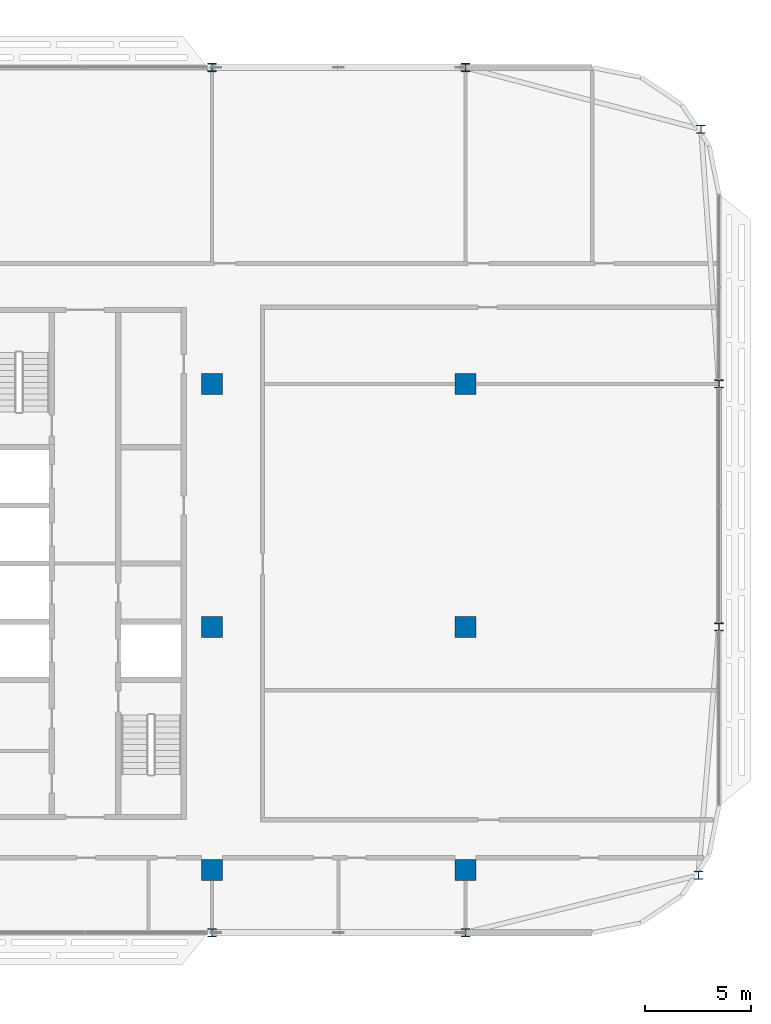
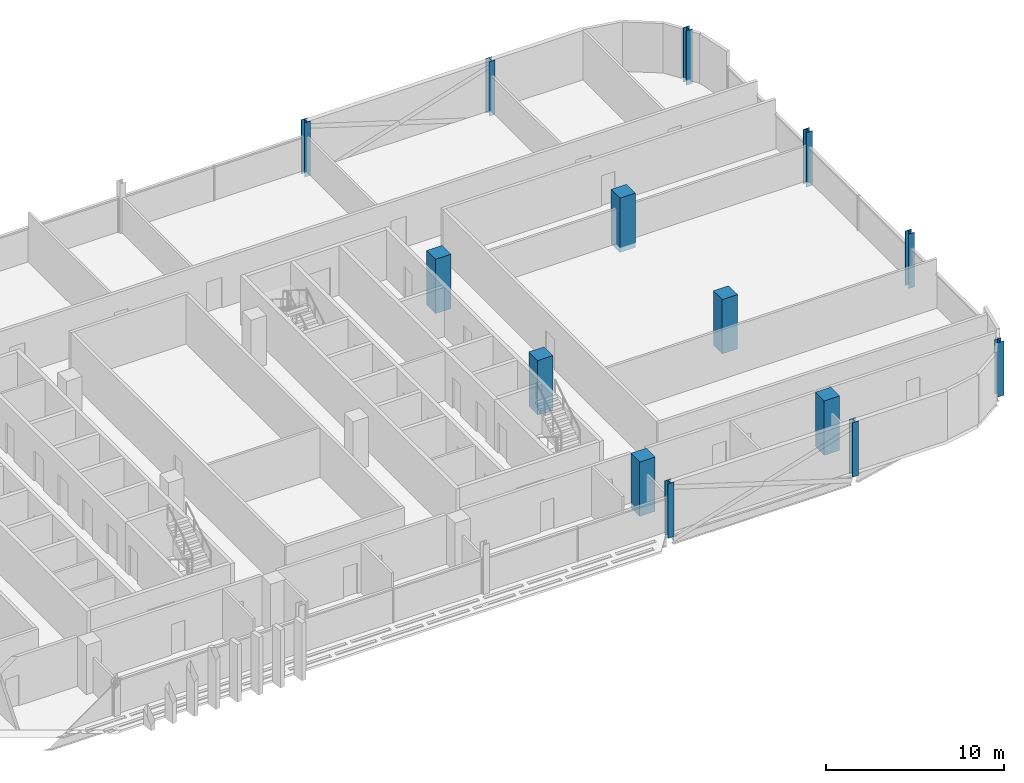
# One storey, part 4 of 33: 14 columns.
"""IFC4 building model written with IfcOpenShell, lengths in metres."""

import ifcopenshell
import ifcopenshell.guid

model = None  # the IFC model being written
_history = None  # IfcOwnerHistory: only IFC2X3 demands one
_inside = {}  # id of a spatial element -> (the spatial element, [elements in it])
_under = {}  # id of a project, library or spatial element -> (it, [spatial elements below it])
_declared = {}  # id of a project -> (the project, [libraries it declares])
_typed = {}  # id of a type object -> (the type object, [elements of that type])
_made_of = {}  # id of a material, layer set ... -> (it, [elements and type objects made of it])


def new_model(schema):
    """Start an empty IFC model of exactly this schema.

    Asked for "IFC4X3", IfcOpenShell would pick the latest addendum, in which some entities
    have other attributes; the version numbers below select the first issue.
    IFC2X3 requires an IfcOwnerHistory on every rooted entity: one is made here for all.
    """
    global model, _history
    if schema == "IFC4X3":
        model = ifcopenshell.file(schema_version=(4, 3, 0, 0))
    else:
        model = ifcopenshell.file(schema=schema)
    _inside.clear()
    _under.clear()
    _declared.clear()
    _typed.clear()
    _made_of.clear()
    _history = None
    if model.schema == "IFC2X3":
        org = make("IfcOrganization", Name="unknown")
        user = make(
            "IfcPersonAndOrganization",
            ThePerson=make("IfcPerson", FamilyName="unknown"),
            TheOrganization=org,
        )
        app = make(
            "IfcApplication",
            ApplicationDeveloper=org,
            Version="unknown",
            ApplicationFullName="unknown",
            ApplicationIdentifier="unknown",
        )
        _history = make(
            "IfcOwnerHistory",
            OwningUser=user,
            OwningApplication=app,
            ChangeAction="ADDED",
            CreationDate=0,
        )
    return model


def make(cls, **values):
    """One entity of the class cls with the attributes given. An attribute that is None is left unset."""
    return model.create_entity(
        cls, **{name: value for name, value in values.items() if value is not None}
    )


def rooted(cls, **values):
    """An entity with a GlobalId (a new one), such as an element, a storey or a relation."""
    return make(cls, GlobalId=ifcopenshell.guid.new(), OwnerHistory=_history, **values)


def si_unit(unit_type, name, prefix=None):
    """IfcSIUnit, for example si_unit("LENGTHUNIT", "METRE", prefix="MILLI")."""
    return make("IfcSIUnit", UnitType=unit_type, Prefix=prefix, Name=name)


def assignment(units):
    """IfcUnitAssignment: the units of a project."""
    return None if units is None else make("IfcUnitAssignment", Units=units)


def point(xyz):
    """IfcCartesianPoint."""
    return None if xyz is None else make("IfcCartesianPoint", Coordinates=xyz)


def direction(xyz):
    """IfcDirection."""
    return None if xyz is None else make("IfcDirection", DirectionRatios=xyz)


def frame(location, z_axis=None, x_axis=None):
    """IfcAxis2Placement3D, a coordinate frame: its origin and axes. An axis left out is left unset."""
    return make(
        "IfcAxis2Placement3D",
        Location=point(location),
        Axis=direction(z_axis),
        RefDirection=direction(x_axis),
    )


def frame_2d(location, x_axis=None):
    """IfcAxis2Placement2D, a coordinate frame in the plane: its origin and x axis."""
    return make(
        "IfcAxis2Placement2D", Location=point(location), RefDirection=direction(x_axis)
    )


def origin():
    """The frame at (0, 0, 0) with its axes left unset."""
    return frame((0.0, 0.0, 0.0))


def origin_2d():
    """The frame at (0, 0) in the plane with its x axis left unset."""
    return frame_2d((0.0, 0.0))


def place(relative_to, where):
    """IfcLocalPlacement: puts the frame where relative to a parent placement (None: the world)."""
    return make(
        "IfcLocalPlacement", PlacementRelTo=relative_to, RelativePlacement=where
    )


def context(
    kind, dimensions, precision=None, world=None, true_north=None, identifier=None
):
    """IfcGeometricRepresentationContext, for example the 3D "Model" context."""
    return make(
        "IfcGeometricRepresentationContext",
        ContextIdentifier=identifier,
        ContextType=kind,
        CoordinateSpaceDimension=dimensions,
        Precision=precision,
        WorldCoordinateSystem=world,
        TrueNorth=true_north,
    )


def subcontext(parent, identifier, kind, view, scale=None):
    """IfcGeometricRepresentationSubContext, for example "Body" below "Model"."""
    return make(
        "IfcGeometricRepresentationSubContext",
        ContextIdentifier=identifier,
        ContextType=kind,
        ParentContext=parent,
        TargetScale=scale,
        TargetView=view,
    )


def project(units=None, contexts=None):
    """IfcProject with its units and contexts."""
    return rooted(
        "IfcProject",
        Name="project",
        RepresentationContexts=contexts,
        UnitsInContext=assignment(units),
    )


def spatial(cls, under=None, at=None, **own):
    """A site, building, storey or space (cls), placed at a placement, below another one or the project."""
    s = rooted(cls, ObjectPlacement=at, **own)
    if under is not None:
        _under.setdefault(under.id(), (under, []))[1].append(s)
    return s


def profile(cls, at=None, kind="AREA", **sizes):
    """A parametric profile (cls). Its sizes go by their IFC names, for example OverallWidth=200.0."""
    return make(cls, ProfileType=kind, Position=at, **sizes)


def rectangle(**sizes):
    """IfcRectangleProfileDef."""
    return profile("IfcRectangleProfileDef", **sizes)


def i_section(**sizes):
    """IfcIShapeProfileDef."""
    return profile("IfcIShapeProfileDef", **sizes)


def extrude(swept, where, along, depth):
    """IfcExtrudedAreaSolid: the profile swept, set in the frame where, extruded along a direction by depth."""
    return make(
        "IfcExtrudedAreaSolid",
        SweptArea=swept,
        Position=where,
        ExtrudedDirection=direction(along),
        Depth=depth,
    )


def shape(context_of_items, identifier, shape_type, items):
    """IfcShapeRepresentation: the items that make up one representation, for example the "Body"."""
    return make(
        "IfcShapeRepresentation",
        ContextOfItems=context_of_items,
        RepresentationIdentifier=identifier,
        RepresentationType=shape_type,
        Items=items,
    )


def material(Name=None, Category=None):
    """IfcMaterial."""
    return make("IfcMaterial", Name=Name, Category=Category)


def material_profile(
    of_material, cross_section, Name=None, Category=None, Priority=None
):
    """IfcMaterialProfile: a cross section and its material."""
    return make(
        "IfcMaterialProfile",
        Name=Name,
        Material=of_material,
        Profile=cross_section,
        Priority=Priority,
        Category=Category,
    )


def profile_set(profiles, Name=None, composite=None):
    """IfcMaterialProfileSet."""
    return make(
        "IfcMaterialProfileSet",
        Name=Name,
        MaterialProfiles=profiles,
        CompositeProfile=composite,
    )


def made_of(thing, what):
    """Note that an element or type object is made of a material, layer set ...; save() writes the relation."""
    if what is not None:
        _made_of.setdefault(what.id(), (what, []))[1].append(thing)
    return thing


def type_object(cls, material=None, **own):
    """A type object (cls), such as IfcWallType, which elements share."""
    return made_of(rooted(cls, **own), material)


def element(
    cls,
    number,
    at=None,
    inside=None,
    cuts=None,
    type_object=None,
    material=None,
    context=None,
    identifier="Body",
    shape_type=None,
    held_by="IfcProductDefinitionShape",
    body=None,
    shapes=None,
    **own,
):
    """One element of the class cls, such as IfcWall. Its Tag is "e" and its number.

    at: its placement. inside: the storey or other place that contains it. cuts: it is an
    opening in that element (IfcRelVoidsElement). A single representation is given by context,
    identifier, shape_type and body (its items); several are given by shapes. held_by: the class
    of the entity that holds the representations. save() writes the other relations.
    """
    e = rooted(cls, Tag="e%d" % number, ObjectPlacement=at, **own)
    if body is not None:
        shapes = [shape(context, identifier, shape_type, body)]
    if shapes is not None:
        e.Representation = make(held_by, Representations=shapes)
    if inside is not None:
        _inside.setdefault(inside.id(), (inside, []))[1].append(e)
    if cuts is not None:
        rooted(
            "IfcRelVoidsElement", RelatingBuildingElement=cuts, RelatedOpeningElement=e
        )
    if type_object is not None:
        _typed.setdefault(type_object.id(), (type_object, []))[1].append(e)
    return made_of(e, material)


def aggregate(whole, parts):
    """IfcRelAggregates: a whole, such as a stair, and the parts it consists of."""
    return rooted("IfcRelAggregates", RelatingObject=whole, RelatedObjects=parts)


def save(model, path):
    """Write the relations noted so far, then the file.

    IfcRelAggregates (storeys below a building ...), IfcRelContainedInSpatialStructure (elements
    in a storey), IfcRelDefinesByType, IfcRelAssociatesMaterial and IfcRelDeclares: one each for
    every whole, place, type object, material and project.
    """
    for whole, parts in _under.values():
        aggregate(whole, parts)
    for where, things in _inside.values():
        rooted(
            "IfcRelContainedInSpatialStructure",
            RelatedElements=things,
            RelatingStructure=where,
        )
    for kind, things in _typed.values():
        rooted("IfcRelDefinesByType", RelatedObjects=things, RelatingType=kind)
    for what, things in _made_of.values():
        rooted("IfcRelAssociatesMaterial", RelatedObjects=things, RelatingMaterial=what)
    for by, libraries in _declared.values():
        rooted("IfcRelDeclares", RelatingContext=by, RelatedDefinitions=libraries)
    model.write(path)


model = new_model("IFC4")

# Units and contexts
model_context = context("Model", 3, precision=1e-05, world=origin(), true_north=direction((0.0, 1.0)))
body_context = subcontext(model_context, "Body", "Model", "MODEL_VIEW")
ifc_project = project(units=[si_unit("LENGTHUNIT", "METRE"), si_unit("AREAUNIT", "SQUARE_METRE"), si_unit("VOLUMEUNIT", "CUBIC_METRE"), si_unit("PLANEANGLEUNIT", "RADIAN"), si_unit("MASSUNIT", "GRAM", prefix="KILO")], contexts=[model_context])

# Site, building, storey
site_placement = place(None, origin())
site = spatial("IfcSite", under=ifc_project, at=site_placement, CompositionType="ELEMENT")
building_placement = place(site_placement, origin())
building = spatial("IfcBuilding", under=site, at=building_placement, Name="Mahtab Terrace Research Tower", CompositionType="ELEMENT")
storey_placement = place(building_placement, frame((0.0, 0.0, 255.199951171875)))
storey = spatial("IfcBuildingStorey", under=building, at=storey_placement, Name="L62", CompositionType="ELEMENT", Elevation=255.199951171875)

# Columns
ifc_material_1 = material(Name="Concrete C70/85", Category="concrete")
ifc_material_profile_1 = material_profile(ifc_material_1, rectangle(XDim=1.0, YDim=1.0, at=origin_2d()), Name="RC column 1000x1000")
ifc_profile_set_1 = profile_set([ifc_material_profile_1], Name="Concrete C70/85")
column_type_1 = type_object("IfcColumnType", Name="RC column 1000x1000", PredefinedType="COLUMN", material=ifc_profile_set_1)
for number, where, z_axis, x_axis, name in (
    (1, (30.0, -11.5, -0.33984375), (0.0, 0.0, 1.0), (1.0, 0.0, 0.0), "Column RC-7A L62"),
    (2, (30.0, 0.0, -0.33984375), (0.0, 0.0, 1.0), (1.0, 0.0, 0.0), "Column RC-7B L62"),
    (3, (30.0, 11.5, -0.33984375), (0.0, 0.0, 1.0), (1.0, 0.0, 0.0), "Column RC-7C L62"),
    (4, (42.0, -11.5, -0.33984375), (0.0, 0.0, 1.0), (1.0, 0.0, 0.0), "Column RC-8A L62"),
    (5, (42.0, 0.0, -0.33984375), (0.0, 0.0, 1.0), (1.0, 0.0, 0.0), "Column RC-8B L62"),
    (6, (42.0, 11.5, -0.33984375), (0.0, 0.0, 1.0), (1.0, 0.0, 0.0), "Column RC-8C L62"),
):
    element("IfcColumn", number, at=place(storey_placement, frame(where, z_axis=z_axis, x_axis=x_axis)), inside=storey, type_object=column_type_1, Name=name, PredefinedType="COLUMN", context=body_context, shape_type="SweptSolid", body=[
        extrude(rectangle(XDim=1.0, YDim=1.0, at=origin_2d()), origin(), (0.0, 0.0, 1.0), 3.739990234375),
    ])
ifc_material_2 = material(Name="Steel ASTM A992 Gr 50", Category="steel")
ifc_material_profile_2 = material_profile(ifc_material_2, i_section(OverallWidth=0.398681640625, OverallDepth=0.385986328125, WebThickness=0.02099609375, FlangeThickness=0.033203125, at=origin_2d()), Name="W14X176")
ifc_profile_set_2 = profile_set([ifc_material_profile_2], Name="Steel ASTM A992 Gr 50")
column_type_2 = type_object("IfcColumnType", Name="W14x176 column CS14176", PredefinedType="COLUMN", material=ifc_profile_set_2)
for number, where, z_axis, x_axis, name in (
    (7, (53.154052734375, 23.5458984375, -0.33984375), (0.0, 0.0, 1.0), (1.0, 0.0, 0.0), "Column SC-052 L62"),
    (8, (42.0, 26.472900390625, -0.33984375), (0.0, 0.0, 1.0), (1.0, 0.0, 0.0), "Column SC-053 L62"),
    (9, (30.0, 26.472900390625, -0.33984375), (0.0, 0.0, 1.0), (1.0, 0.0, 0.0), "Column SC-054 L62"),
    (10, (30.0, -14.472900390625, -0.33984375), (0.0, 0.0, 1.0), (1.0, 0.0, 0.0), "Column SC-067 L62"),
    (11, (42.0, -14.472900390625, -0.33984375), (0.0, 0.0, 1.0), (1.0, 0.0, 0.0), "Column SC-068 L62"),
    (12, (53.02099609375, -11.758056640625, -0.33984375), (0.0, 0.0, 1.0), (1.0, 0.0, 0.0), "Column SC-069 L62"),
    (13, (54.0, 0.0, -0.33984375), (0.0, 0.0, 1.0), (1.0, 0.0, 0.0), "Column SC-028 L62"),
    (14, (54.0, 11.5, -0.33984375), (0.0, 0.0, 1.0), (1.0, 0.0, 0.0), "Column SC-029 L62"),
):
    element("IfcColumn", number, at=place(storey_placement, frame(where, z_axis=z_axis, x_axis=x_axis)), inside=storey, type_object=column_type_2, Name=name, PredefinedType="COLUMN", context=body_context, shape_type="SweptSolid", body=[
        extrude(i_section(OverallWidth=0.398681640625, OverallDepth=0.385986328125, WebThickness=0.02099609375, FlangeThickness=0.033203125, at=origin_2d()), origin(), (0.0, 0.0, 1.0), 3.739990234375),
    ])

save(model, "model.ifc")
